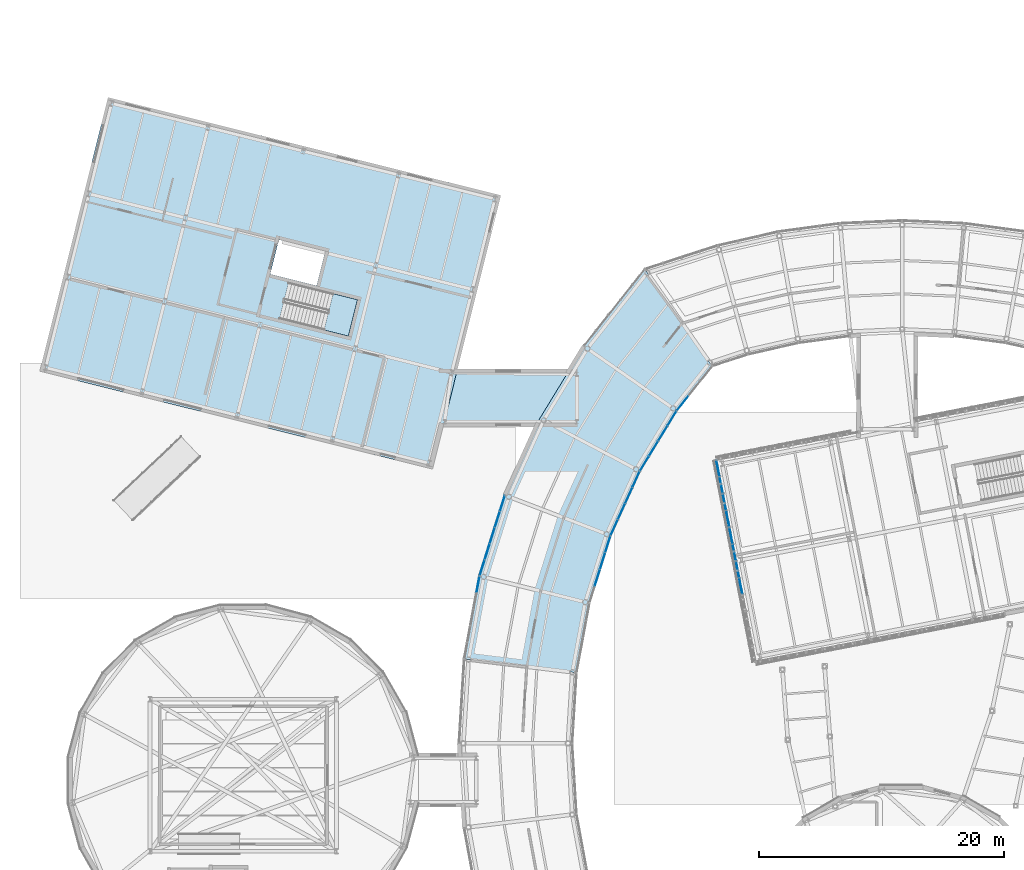
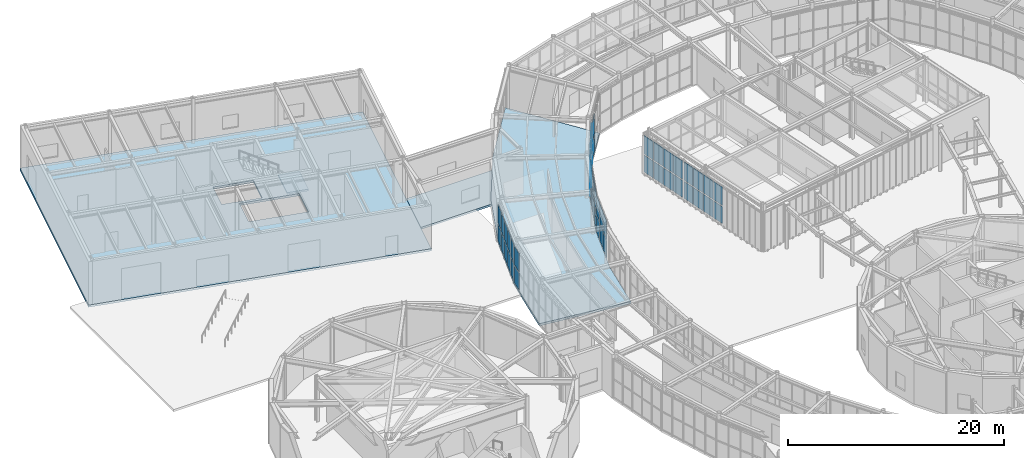
# One storey, part 62 of 97: 52 plates, 4 slabs, 9 elements without a shape of their own.
"""IFC4 building model written with IfcOpenShell, lengths in metres."""

from ifc_helpers import new_model, si_unit, direction, frame, origin, origin_2d, place, context, subcontext, project, spatial, polyline, rectangle, outline, extrude, material, layer, layer_set, type_object, element, aggregate, save


model = new_model("IFC4")

# Units and contexts
model_context = context("Model", 3, precision=1e-05, world=origin(), true_north=direction((0.0, 1.0)))
body_context = subcontext(model_context, "Body", "Model", "MODEL_VIEW")
ifc_project = project(units=[si_unit("LENGTHUNIT", "METRE"), si_unit("AREAUNIT", "SQUARE_METRE"), si_unit("VOLUMEUNIT", "CUBIC_METRE"), si_unit("PLANEANGLEUNIT", "RADIAN"), si_unit("MASSUNIT", "GRAM", prefix="KILO")], contexts=[model_context])

# Site, building, storey
site_placement = place(None, origin())
site = spatial("IfcSite", under=ifc_project, at=site_placement, CompositionType="ELEMENT")
building_placement = place(site_placement, origin())
building = spatial("IfcBuilding", under=site, at=building_placement, Name="Varnklinge Art Gallery", CompositionType="ELEMENT")
storey_placement = place(building_placement, origin())
storey = spatial("IfcBuildingStorey", under=building, at=storey_placement, Name="L00", CompositionType="ELEMENT", Elevation=0.0)

# Curtain wall, plates
ifc_material_1 = material(Name="Anodised Aluminium", Category="aluminium")
curtain_wall_type_1 = type_object("IfcCurtainWallType", Name="CW-R03", PredefinedType="USERDEFINED", material=ifc_material_1)
curtain_wall_1_placement = place(storey_placement, origin())
curtain_wall_1 = element("IfcCurtainWall", 1, at=curtain_wall_1_placement, inside=storey, type_object=curtain_wall_type_1, Name="L00 Curtain Wall CW-V2I-L00-21", ObjectType="UNITISED CURTAIN WALL", PredefinedType="USERDEFINED")
ifc_material_2 = material(Name="Insulated Low-E Triple Glazing", Category="glass")
ifc_layer_1 = layer(ifc_material_2, 0.031982421875)
ifc_layer_set_1 = layer_set([ifc_layer_1], Name="Insulated Low-E Triple Glazing")
plate_type_1 = type_object("IfcPlateType", Name="GLZ-32", PredefinedType="CURTAIN_PANEL", material=ifc_layer_set_1)
plate_1_placement = place(storey_placement, frame((57.614990234375, 82.7236328125, 0.1181640625), z_axis=(0.0, 0.0, 1.0), x_axis=(0.620737354217, 0.784018582101, 0.0)))
plate_1 = element("IfcPlate", 2, at=plate_1_placement, type_object=plate_type_1, Name="CW-V2I-L00-21 Glazing Panel 1.1", PredefinedType="CURTAIN_PANEL", context=body_context, shape_type="SweptSolid", body=[
    extrude(rectangle(XDim=1.4658203125, YDim=0.031982421875, at=origin_2d()), origin(), (0.0, 0.0, 1.0), 1.950439453125),
])
plate_2_placement = place(storey_placement, frame((57.614990234375, 82.7236328125, 2.1845703125), z_axis=(0.0, 0.0, 1.0), x_axis=(0.620737354217, 0.784018582101, 0.0)))
plate_2 = element("IfcPlate", 3, at=plate_2_placement, type_object=plate_type_1, Name="CW-V2I-L00-21 Glazing Panel 1.2", PredefinedType="CURTAIN_PANEL", context=body_context, shape_type="SweptSolid", body=[
    extrude(rectangle(XDim=1.4658203125, YDim=0.031982421875, at=origin_2d()), origin(), (0.0, 0.0, 1.0), 2.127685546875),
])
aggregate(curtain_wall_1, [plate_1, plate_2])

curtain_wall_2_placement = place(storey_placement, origin())
curtain_wall_2 = element("IfcCurtainWall", 4, at=curtain_wall_2_placement, inside=storey, type_object=curtain_wall_type_1, Name="L00 Curtain Wall CW-V2I-L00-22", ObjectType="UNITISED CURTAIN WALL", PredefinedType="USERDEFINED")
plate_3_placement = place(storey_placement, frame((54.503173828125, 77.80908203125, 0.1181640625), z_axis=(0.0, 0.0, 1.0), x_axis=(0.520860651188, 0.85364171761, 0.0)))
plate_3 = element("IfcPlate", 5, at=plate_3_placement, type_object=plate_type_1, Name="CW-V2I-L00-22 Glazing Panel 1.1", PredefinedType="CURTAIN_PANEL", context=body_context, shape_type="SweptSolid", body=[
    extrude(rectangle(XDim=1.355712890625, YDim=0.031982421875, at=origin_2d()), origin(), (0.0, 0.0, 1.0), 1.950439453125),
])
plate_4_placement = place(storey_placement, frame((54.503173828125, 77.80908203125, 2.1845703125), z_axis=(0.0, 0.0, 1.0), x_axis=(0.520860651188, 0.85364171761, 0.0)))
plate_4 = element("IfcPlate", 6, at=plate_4_placement, type_object=plate_type_1, Name="CW-V2I-L00-22 Glazing Panel 1.2", PredefinedType="CURTAIN_PANEL", context=body_context, shape_type="SweptSolid", body=[
    extrude(rectangle(XDim=1.355712890625, YDim=0.031982421875, at=origin_2d()), origin(), (0.0, 0.0, 1.0), 2.127685546875),
])
plate_5_placement = place(storey_placement, frame((55.246337890625, 79.02685546875, 0.1181640625), z_axis=(0.0, 0.0, 1.0), x_axis=(0.520860651188, 0.85364171761, 0.0)))
plate_5 = element("IfcPlate", 7, at=plate_5_placement, type_object=plate_type_1, Name="CW-V2I-L00-22 Glazing Panel 2.1", PredefinedType="CURTAIN_PANEL", context=body_context, shape_type="SweptSolid", body=[
    extrude(rectangle(XDim=1.3857421875, YDim=0.031982421875, at=origin_2d()), origin(), (0.0, 0.0, 1.0), 1.950439453125),
])
plate_6_placement = place(storey_placement, frame((55.246337890625, 79.02685546875, 2.1845703125), z_axis=(0.0, 0.0, 1.0), x_axis=(0.520860651188, 0.85364171761, 0.0)))
plate_6 = element("IfcPlate", 8, at=plate_6_placement, type_object=plate_type_1, Name="CW-V2I-L00-22 Glazing Panel 2.2", PredefinedType="CURTAIN_PANEL", context=body_context, shape_type="SweptSolid", body=[
    extrude(rectangle(XDim=1.3857421875, YDim=0.031982421875, at=origin_2d()), origin(), (0.0, 0.0, 1.0), 2.127685546875),
])
plate_7_placement = place(storey_placement, frame((55.997314453125, 80.257568359375, 0.1181640625), z_axis=(0.0, 0.0, 1.0), x_axis=(0.520860651188, 0.85364171761, 0.0)))
plate_7 = element("IfcPlate", 9, at=plate_7_placement, type_object=plate_type_1, Name="CW-V2I-L00-22 Glazing Panel 3.1", PredefinedType="CURTAIN_PANEL", context=body_context, shape_type="SweptSolid", body=[
    extrude(rectangle(XDim=1.3857421875, YDim=0.031982421875, at=origin_2d()), origin(), (0.0, 0.0, 1.0), 1.950439453125),
])
plate_8_placement = place(storey_placement, frame((55.997314453125, 80.257568359375, 2.1845703125), z_axis=(0.0, 0.0, 1.0), x_axis=(0.520860651188, 0.85364171761, 0.0)))
plate_8 = element("IfcPlate", 10, at=plate_8_placement, type_object=plate_type_1, Name="CW-V2I-L00-22 Glazing Panel 3.2", PredefinedType="CURTAIN_PANEL", context=body_context, shape_type="SweptSolid", body=[
    extrude(rectangle(XDim=1.3857421875, YDim=0.031982421875, at=origin_2d()), origin(), (0.0, 0.0, 1.0), 2.127685546875),
])
plate_9_placement = place(storey_placement, frame((56.740478515625, 81.475341796875, 0.1181640625), z_axis=(0.0, 0.0, 1.0), x_axis=(0.520860651188, 0.85364171761, 0.0)))
plate_9 = element("IfcPlate", 11, at=plate_9_placement, type_object=plate_type_1, Name="CW-V2I-L00-22 Glazing Panel 4.1", PredefinedType="CURTAIN_PANEL", context=body_context, shape_type="SweptSolid", body=[
    extrude(rectangle(XDim=1.355712890625, YDim=0.031982421875, at=origin_2d()), origin(), (0.0, 0.0, 1.0), 1.950439453125),
])
plate_10_placement = place(storey_placement, frame((56.740478515625, 81.475341796875, 2.1845703125), z_axis=(0.0, 0.0, 1.0), x_axis=(0.520860651188, 0.85364171761, 0.0)))
plate_10 = element("IfcPlate", 12, at=plate_10_placement, type_object=plate_type_1, Name="CW-V2I-L00-22 Glazing Panel 4.2", PredefinedType="CURTAIN_PANEL", context=body_context, shape_type="SweptSolid", body=[
    extrude(rectangle(XDim=1.355712890625, YDim=0.031982421875, at=origin_2d()), origin(), (0.0, 0.0, 1.0), 2.127685546875),
])
aggregate(curtain_wall_2, [plate_3, plate_4, plate_5, plate_6, plate_7, plate_8, plate_9, plate_10])

curtain_wall_3_placement = place(storey_placement, origin())
curtain_wall_3 = element("IfcCurtainWall", 13, at=curtain_wall_3_placement, inside=storey, type_object=curtain_wall_type_1, Name="L00 Curtain Wall CW-V2I-L00-23", ObjectType="UNITISED CURTAIN WALL", PredefinedType="USERDEFINED")
plate_11_placement = place(storey_placement, frame((52.039794921875, 72.599609375, 0.1181640625), z_axis=(0.0, 0.0, 1.0), x_axis=(0.413422293217, 0.910539404678, 0.0)))
plate_11 = element("IfcPlate", 14, at=plate_11_placement, type_object=plate_type_1, Name="CW-V2I-L00-23 Glazing Panel 1.1", PredefinedType="CURTAIN_PANEL", context=body_context, shape_type="SweptSolid", body=[
    extrude(rectangle(XDim=1.355712890625, YDim=0.031982421875, at=origin_2d()), origin(), (0.0, 0.0, 1.0), 1.950439453125),
])
plate_12_placement = place(storey_placement, frame((52.039794921875, 72.599609375, 2.1845703125), z_axis=(0.0, 0.0, 1.0), x_axis=(0.413422293217, 0.910539404678, 0.0)))
plate_12 = element("IfcPlate", 15, at=plate_12_placement, type_object=plate_type_1, Name="CW-V2I-L00-23 Glazing Panel 1.2", PredefinedType="CURTAIN_PANEL", context=body_context, shape_type="SweptSolid", body=[
    extrude(rectangle(XDim=1.355712890625, YDim=0.031982421875, at=origin_2d()), origin(), (0.0, 0.0, 1.0), 2.127685546875),
])
plate_13_placement = place(storey_placement, frame((52.629638671875, 73.898681640625, 0.1181640625), z_axis=(0.0, 0.0, 1.0), x_axis=(0.413422293217, 0.910539404678, 0.0)))
plate_13 = element("IfcPlate", 16, at=plate_13_placement, type_object=plate_type_1, Name="CW-V2I-L00-23 Glazing Panel 2.1", PredefinedType="CURTAIN_PANEL", context=body_context, shape_type="SweptSolid", body=[
    extrude(rectangle(XDim=1.3857421875, YDim=0.031982421875, at=origin_2d()), origin(), (0.0, 0.0, 1.0), 1.950439453125),
])
plate_14_placement = place(storey_placement, frame((52.629638671875, 73.898681640625, 2.1845703125), z_axis=(0.0, 0.0, 1.0), x_axis=(0.413422293217, 0.910539404678, 0.0)))
plate_14 = element("IfcPlate", 17, at=plate_14_placement, type_object=plate_type_1, Name="CW-V2I-L00-23 Glazing Panel 2.2", PredefinedType="CURTAIN_PANEL", context=body_context, shape_type="SweptSolid", body=[
    extrude(rectangle(XDim=1.3857421875, YDim=0.031982421875, at=origin_2d()), origin(), (0.0, 0.0, 1.0), 2.127685546875),
])
plate_15_placement = place(storey_placement, frame((53.2255859375, 75.211669921875, 0.1181640625), z_axis=(0.0, 0.0, 1.0), x_axis=(0.413422293217, 0.910539404678, 0.0)))
plate_15 = element("IfcPlate", 18, at=plate_15_placement, type_object=plate_type_1, Name="CW-V2I-L00-23 Glazing Panel 3.1", PredefinedType="CURTAIN_PANEL", context=body_context, shape_type="SweptSolid", body=[
    extrude(rectangle(XDim=1.3857421875, YDim=0.031982421875, at=origin_2d()), origin(), (0.0, 0.0, 1.0), 1.950439453125),
])
plate_16_placement = place(storey_placement, frame((53.2255859375, 75.211669921875, 2.1845703125), z_axis=(0.0, 0.0, 1.0), x_axis=(0.413422293217, 0.910539404678, 0.0)))
plate_16 = element("IfcPlate", 19, at=plate_16_placement, type_object=plate_type_1, Name="CW-V2I-L00-23 Glazing Panel 3.2", PredefinedType="CURTAIN_PANEL", context=body_context, shape_type="SweptSolid", body=[
    extrude(rectangle(XDim=1.3857421875, YDim=0.031982421875, at=origin_2d()), origin(), (0.0, 0.0, 1.0), 2.127685546875),
])
plate_17_placement = place(storey_placement, frame((53.8154296875, 76.5107421875, 0.1181640625), z_axis=(0.0, 0.0, 1.0), x_axis=(0.413422293217, 0.910539404678, 0.0)))
plate_17 = element("IfcPlate", 20, at=plate_17_placement, type_object=plate_type_1, Name="CW-V2I-L00-23 Glazing Panel 4.1", PredefinedType="CURTAIN_PANEL", context=body_context, shape_type="SweptSolid", body=[
    extrude(rectangle(XDim=1.355712890625, YDim=0.031982421875, at=origin_2d()), origin(), (0.0, 0.0, 1.0), 1.950439453125),
])
plate_18_placement = place(storey_placement, frame((53.8154296875, 76.5107421875, 2.1845703125), z_axis=(0.0, 0.0, 1.0), x_axis=(0.413422293217, 0.910539404678, 0.0)))
plate_18 = element("IfcPlate", 21, at=plate_18_placement, type_object=plate_type_1, Name="CW-V2I-L00-23 Glazing Panel 4.2", PredefinedType="CURTAIN_PANEL", context=body_context, shape_type="SweptSolid", body=[
    extrude(rectangle(XDim=1.355712890625, YDim=0.031982421875, at=origin_2d()), origin(), (0.0, 0.0, 1.0), 2.127685546875),
])
aggregate(curtain_wall_3, [plate_11, plate_12, plate_13, plate_14, plate_15, plate_16, plate_17, plate_18])

curtain_wall_4_placement = place(storey_placement, origin())
curtain_wall_4 = element("IfcCurtainWall", 22, at=curtain_wall_4_placement, inside=storey, type_object=curtain_wall_type_1, Name="L00 Curtain Wall CW-V2I-L00-24", ObjectType="UNITISED CURTAIN WALL", PredefinedType="USERDEFINED")
plate_19_placement = place(storey_placement, frame((50.6552734375, 68.49072265625, 0.1181640625), z_axis=(0.0, 0.0, 1.0), x_axis=(0.299706904751, 0.954031326134, 0.0)))
plate_19 = element("IfcPlate", 23, at=plate_19_placement, type_object=plate_type_1, Name="CW-V2I-L00-24 Glazing Panel 2.1", PredefinedType="CURTAIN_PANEL", context=body_context, shape_type="SweptSolid", body=[
    extrude(rectangle(XDim=1.3857421875, YDim=0.031982421875, at=origin_2d()), origin(), (0.0, 0.0, 1.0), 1.950439453125),
])
plate_20_placement = place(storey_placement, frame((50.6552734375, 68.49072265625, 2.1845703125), z_axis=(0.0, 0.0, 1.0), x_axis=(0.299706904751, 0.954031326134, 0.0)))
plate_20 = element("IfcPlate", 24, at=plate_20_placement, type_object=plate_type_1, Name="CW-V2I-L00-24 Glazing Panel 2.2", PredefinedType="CURTAIN_PANEL", context=body_context, shape_type="SweptSolid", body=[
    extrude(rectangle(XDim=1.3857421875, YDim=0.031982421875, at=origin_2d()), origin(), (0.0, 0.0, 1.0), 2.127685546875),
])
plate_21_placement = place(storey_placement, frame((51.08740234375, 69.8662109375, 0.1181640625), z_axis=(0.0, 0.0, 1.0), x_axis=(0.299706904751, 0.954031326134, 0.0)))
plate_21 = element("IfcPlate", 25, at=plate_21_placement, type_object=plate_type_1, Name="CW-V2I-L00-24 Glazing Panel 3.1", PredefinedType="CURTAIN_PANEL", context=body_context, shape_type="SweptSolid", body=[
    extrude(rectangle(XDim=1.3857421875, YDim=0.031982421875, at=origin_2d()), origin(), (0.0, 0.0, 1.0), 1.950439453125),
])
plate_22_placement = place(storey_placement, frame((51.08740234375, 69.8662109375, 2.1845703125), z_axis=(0.0, 0.0, 1.0), x_axis=(0.299706904751, 0.954031326134, 0.0)))
plate_22 = element("IfcPlate", 26, at=plate_22_placement, type_object=plate_type_1, Name="CW-V2I-L00-24 Glazing Panel 3.2", PredefinedType="CURTAIN_PANEL", context=body_context, shape_type="SweptSolid", body=[
    extrude(rectangle(XDim=1.3857421875, YDim=0.031982421875, at=origin_2d()), origin(), (0.0, 0.0, 1.0), 2.127685546875),
])
plate_23_placement = place(storey_placement, frame((51.514892578125, 71.2275390625, 0.1181640625), z_axis=(0.0, 0.0, 1.0), x_axis=(0.299706904751, 0.954031326134, 0.0)))
plate_23 = element("IfcPlate", 27, at=plate_23_placement, type_object=plate_type_1, Name="CW-V2I-L00-24 Glazing Panel 4.1", PredefinedType="CURTAIN_PANEL", context=body_context, shape_type="SweptSolid", body=[
    extrude(rectangle(XDim=1.355712890625, YDim=0.031982421875, at=origin_2d()), origin(), (0.0, 0.0, 1.0), 1.950439453125),
])
plate_24_placement = place(storey_placement, frame((51.514892578125, 71.2275390625, 2.1845703125), z_axis=(0.0, 0.0, 1.0), x_axis=(0.299706904751, 0.954031326134, 0.0)))
plate_24 = element("IfcPlate", 28, at=plate_24_placement, type_object=plate_type_1, Name="CW-V2I-L00-24 Glazing Panel 4.2", PredefinedType="CURTAIN_PANEL", context=body_context, shape_type="SweptSolid", body=[
    extrude(rectangle(XDim=1.355712890625, YDim=0.031982421875, at=origin_2d()), origin(), (0.0, 0.0, 1.0), 2.127685546875),
])
aggregate(curtain_wall_4, [plate_19, plate_20, plate_21, plate_22, plate_23, plate_24])

ifc_material_3 = material(Name="Anodised Aluminium", Category="aluminium")
curtain_wall_type_2 = type_object("IfcCurtainWallType", Name="CW-R01", PredefinedType="USERDEFINED", material=ifc_material_3)
curtain_wall_5_placement = place(storey_placement, origin())
curtain_wall_5 = element("IfcCurtainWall", 29, at=curtain_wall_5_placement, inside=storey, type_object=curtain_wall_type_2, Name="L00 Curtain Wall CW-V2O-L00-24", ObjectType="UNITISED CURTAIN WALL", PredefinedType="USERDEFINED")
ifc_material_4 = material(Name="Insulated Low-E Triple Glazing", Category="glass")
ifc_layer_2 = layer(ifc_material_4, 0.0380859375)
ifc_layer_set_2 = layer_set([ifc_layer_2], Name="Insulated Low-E Triple Glazing")
plate_type_2 = type_object("IfcPlateType", Name="GLZ-38", PredefinedType="CURTAIN_PANEL", material=ifc_layer_set_2)
plate_25_placement = place(storey_placement, frame((42.915283203125, 74.549560546875, 0.14794921875), z_axis=(0.0, 0.0, 1.0), x_axis=(-0.299706904751, -0.954031326134, 0.0)))
plate_25 = element("IfcPlate", 30, at=plate_25_placement, type_object=plate_type_2, Name="CW-V2O-L00-24 Glazing Panel 1.1", PredefinedType="CURTAIN_PANEL", context=body_context, shape_type="SweptSolid", body=[
    extrude(rectangle(XDim=1.2841796875, YDim=0.0380859375, at=origin_2d()), origin(), (0.0, 0.0, 1.0), 1.905517578125),
])
plate_26_placement = place(storey_placement, frame((42.915283203125, 74.549560546875, 2.199462890625), z_axis=(0.0, 0.0, 1.0), x_axis=(-0.299706904751, -0.954031326134, 0.0)))
plate_26 = element("IfcPlate", 31, at=plate_26_placement, type_object=plate_type_2, Name="CW-V2O-L00-24 Glazing Panel 1.2", PredefinedType="CURTAIN_PANEL", context=body_context, shape_type="SweptSolid", body=[
    extrude(rectangle(XDim=1.2841796875, YDim=0.0380859375, at=origin_2d()), origin(), (0.0, 0.0, 1.0), 2.08251953125),
])
plate_27_placement = place(storey_placement, frame((42.507080078125, 73.25048828125, 0.14794921875), z_axis=(0.0, 0.0, 1.0), x_axis=(-0.299706904751, -0.954031326134, 0.0)))
plate_27 = element("IfcPlate", 32, at=plate_27_placement, type_object=plate_type_2, Name="CW-V2O-L00-24 Glazing Panel 2.1", PredefinedType="CURTAIN_PANEL", context=body_context, shape_type="SweptSolid", body=[
    extrude(rectangle(XDim=1.316650390625, YDim=0.0380859375, at=origin_2d()), origin(), (0.0, 0.0, 1.0), 1.905517578125),
])
plate_28_placement = place(storey_placement, frame((42.507080078125, 73.25048828125, 2.199462890625), z_axis=(0.0, 0.0, 1.0), x_axis=(-0.299706904751, -0.954031326134, 0.0)))
plate_28 = element("IfcPlate", 33, at=plate_28_placement, type_object=plate_type_2, Name="CW-V2O-L00-24 Glazing Panel 2.2", PredefinedType="CURTAIN_PANEL", context=body_context, shape_type="SweptSolid", body=[
    extrude(rectangle(XDim=1.316650390625, YDim=0.0380859375, at=origin_2d()), origin(), (0.0, 0.0, 1.0), 2.08251953125),
])
plate_29_placement = place(storey_placement, frame((42.09423828125, 71.936279296875, 0.14794921875), z_axis=(0.0, 0.0, 1.0), x_axis=(-0.299706904751, -0.954031326134, 0.0)))
plate_29 = element("IfcPlate", 34, at=plate_29_placement, type_object=plate_type_2, Name="CW-V2O-L00-24 Glazing Panel 3.1", PredefinedType="CURTAIN_PANEL", context=body_context, shape_type="SweptSolid", body=[
    extrude(rectangle(XDim=1.316650390625, YDim=0.0380859375, at=origin_2d()), origin(), (0.0, 0.0, 1.0), 1.905517578125),
])
plate_30_placement = place(storey_placement, frame((42.09423828125, 71.936279296875, 2.199462890625), z_axis=(0.0, 0.0, 1.0), x_axis=(-0.299706904751, -0.954031326134, 0.0)))
plate_30 = element("IfcPlate", 35, at=plate_30_placement, type_object=plate_type_2, Name="CW-V2O-L00-24 Glazing Panel 3.2", PredefinedType="CURTAIN_PANEL", context=body_context, shape_type="SweptSolid", body=[
    extrude(rectangle(XDim=1.316650390625, YDim=0.0380859375, at=origin_2d()), origin(), (0.0, 0.0, 1.0), 2.08251953125),
])
plate_31_placement = place(storey_placement, frame((41.681396484375, 70.621826171875, 0.14794921875), z_axis=(0.0, 0.0, 1.0), x_axis=(-0.299706904751, -0.954031326134, 0.0)))
plate_31 = element("IfcPlate", 36, at=plate_31_placement, type_object=plate_type_2, Name="CW-V2O-L00-24 Glazing Panel 4.1", PredefinedType="CURTAIN_PANEL", context=body_context, shape_type="SweptSolid", body=[
    extrude(rectangle(XDim=1.316650390625, YDim=0.0380859375, at=origin_2d()), origin(), (0.0, 0.0, 1.0), 1.905517578125),
])
plate_32_placement = place(storey_placement, frame((41.681396484375, 70.621826171875, 2.199462890625), z_axis=(0.0, 0.0, 1.0), x_axis=(-0.299706904751, -0.954031326134, 0.0)))
plate_32 = element("IfcPlate", 37, at=plate_32_placement, type_object=plate_type_2, Name="CW-V2O-L00-24 Glazing Panel 4.2", PredefinedType="CURTAIN_PANEL", context=body_context, shape_type="SweptSolid", body=[
    extrude(rectangle(XDim=1.316650390625, YDim=0.0380859375, at=origin_2d()), origin(), (0.0, 0.0, 1.0), 2.08251953125),
])
plate_33_placement = place(storey_placement, frame((41.273193359375, 69.322998046875, 0.14794921875), z_axis=(0.0, 0.0, 1.0), x_axis=(-0.299706904751, -0.954031326134, 0.0)))
plate_33 = element("IfcPlate", 38, at=plate_33_placement, type_object=plate_type_2, Name="CW-V2O-L00-24 Glazing Panel 5.1", PredefinedType="CURTAIN_PANEL", context=body_context, shape_type="SweptSolid", body=[
    extrude(rectangle(XDim=1.2841796875, YDim=0.0380859375, at=origin_2d()), origin(), (0.0, 0.0, 1.0), 1.905517578125),
])
plate_34_placement = place(storey_placement, frame((41.273193359375, 69.322998046875, 2.199462890625), z_axis=(0.0, 0.0, 1.0), x_axis=(-0.299706904751, -0.954031326134, 0.0)))
plate_34 = element("IfcPlate", 39, at=plate_34_placement, type_object=plate_type_2, Name="CW-V2O-L00-24 Glazing Panel 5.2", PredefinedType="CURTAIN_PANEL", context=body_context, shape_type="SweptSolid", body=[
    extrude(rectangle(XDim=1.2841796875, YDim=0.0380859375, at=origin_2d()), origin(), (0.0, 0.0, 1.0), 2.08251953125),
])
aggregate(curtain_wall_5, [plate_25, plate_26, plate_27, plate_28, plate_29, plate_30, plate_31, plate_32, plate_33, plate_34])

curtain_wall_6_placement = place(storey_placement, origin())
curtain_wall_6 = element("IfcCurtainWall", 40, at=curtain_wall_6_placement, inside=storey, type_object=curtain_wall_type_2, Name="L00 Curtain Wall CW-V2O-L00-25", ObjectType="UNITISED CURTAIN WALL", PredefinedType="USERDEFINED")
plate_35_placement = place(storey_placement, frame((40.933837890625, 67.956787109375, 0.14794921875), z_axis=(0.0, 0.0, 1.0), x_axis=(-0.18172066947, -0.983350191075, 0.0)))
plate_35 = element("IfcPlate", 41, at=plate_35_placement, type_object=plate_type_2, Name="CW-V2O-L00-25 Glazing Panel 1.1", PredefinedType="CURTAIN_PANEL", context=body_context, shape_type="SweptSolid", body=[
    extrude(rectangle(XDim=1.2841796875, YDim=0.0380859375, at=origin_2d()), origin(), (0.0, 0.0, 1.0), 1.905517578125),
])
plate_36_placement = place(storey_placement, frame((40.933837890625, 67.956787109375, 2.199462890625), z_axis=(0.0, 0.0, 1.0), x_axis=(-0.18172066947, -0.983350191075, 0.0)))
plate_36 = element("IfcPlate", 42, at=plate_36_placement, type_object=plate_type_2, Name="CW-V2O-L00-25 Glazing Panel 1.2", PredefinedType="CURTAIN_PANEL", context=body_context, shape_type="SweptSolid", body=[
    extrude(rectangle(XDim=1.2841796875, YDim=0.0380859375, at=origin_2d()), origin(), (0.0, 0.0, 1.0), 2.08251953125),
])
aggregate(curtain_wall_6, [plate_35, plate_36])

ifc_material_5 = material(Name="Anodised Aluminium", Category="aluminium")
curtain_wall_type_3 = type_object("IfcCurtainWallType", Name="CW-L05", PredefinedType="USERDEFINED", material=ifc_material_5)
curtain_wall_7_placement = place(storey_placement, origin())
curtain_wall_7 = element("IfcCurtainWall", 43, at=curtain_wall_7_placement, inside=storey, type_object=curtain_wall_type_3, Name="L00 Curtain Wall CW-V4B-L00-4-1-1", ObjectType="UNITISED CURTAIN WALL", PredefinedType="USERDEFINED")
ifc_material_6 = material(Name="Insulated Low-E Triple Glazing", Category="glass")
ifc_layer_3 = layer(ifc_material_6, 0.0439453125)
ifc_layer_set_3 = layer_set([ifc_layer_3], Name="Insulated Low-E Triple Glazing")
plate_type_3 = type_object("IfcPlateType", Name="GLZ-44", PredefinedType="CURTAIN_PANEL", material=ifc_layer_set_3)
plate_37_placement = place(storey_placement, frame((60.48779296875, 77.406982421875, 0.14794921875), z_axis=(0.0, 0.0, 1.0), x_axis=(0.190808995377, -0.981627183448, 0.0)))
plate_37 = element("IfcPlate", 44, at=plate_37_placement, type_object=plate_type_3, Name="CW-V4B-L00-4-1-1 Glazing Panel 1.1", PredefinedType="CURTAIN_PANEL", context=body_context, shape_type="SweptSolid", body=[
    extrude(rectangle(XDim=1.29150390625, YDim=0.0439453125, at=origin_2d()), origin(), (0.0, 0.0, 1.0), 1.905517578125),
])
plate_38_placement = place(storey_placement, frame((60.48779296875, 77.406982421875, 2.199462890625), z_axis=(0.0, 0.0, 1.0), x_axis=(0.190808995377, -0.981627183448, 0.0)))
plate_38 = element("IfcPlate", 45, at=plate_38_placement, type_object=plate_type_3, Name="CW-V4B-L00-4-1-1 Glazing Panel 1.2", PredefinedType="CURTAIN_PANEL", context=body_context, shape_type="SweptSolid", body=[
    extrude(rectangle(XDim=1.29150390625, YDim=0.0439453125, at=origin_2d()), origin(), (0.0, 0.0, 1.0), 2.08251953125),
])
plate_39_placement = place(storey_placement, frame((60.75146484375, 76.051025390625, 0.14794921875), z_axis=(0.0, 0.0, 1.0), x_axis=(0.190808995377, -0.981627183448, 0.0)))
plate_39 = element("IfcPlate", 46, at=plate_39_placement, type_object=plate_type_3, Name="CW-V4B-L00-4-1-1 Glazing Panel 2.1", PredefinedType="CURTAIN_PANEL", context=body_context, shape_type="SweptSolid", body=[
    extrude(rectangle(XDim=1.3291015625, YDim=0.0439453125, at=origin_2d()), origin(), (0.0, 0.0, 1.0), 1.905517578125),
])
plate_40_placement = place(storey_placement, frame((60.75146484375, 76.051025390625, 2.199462890625), z_axis=(0.0, 0.0, 1.0), x_axis=(0.190808995377, -0.981627183448, 0.0)))
plate_40 = element("IfcPlate", 47, at=plate_40_placement, type_object=plate_type_3, Name="CW-V4B-L00-4-1-1 Glazing Panel 2.2", PredefinedType="CURTAIN_PANEL", context=body_context, shape_type="SweptSolid", body=[
    extrude(rectangle(XDim=1.3291015625, YDim=0.0439453125, at=origin_2d()), origin(), (0.0, 0.0, 1.0), 2.08251953125),
])
plate_41_placement = place(storey_placement, frame((61.0185546875, 74.6767578125, 0.14794921875), z_axis=(0.0, 0.0, 1.0), x_axis=(0.190808995377, -0.981627183448, 0.0)))
plate_41 = element("IfcPlate", 48, at=plate_41_placement, type_object=plate_type_3, Name="CW-V4B-L00-4-1-1 Glazing Panel 3.1", PredefinedType="CURTAIN_PANEL", context=body_context, shape_type="SweptSolid", body=[
    extrude(rectangle(XDim=1.3291015625, YDim=0.0439453125, at=origin_2d()), origin(), (0.0, 0.0, 1.0), 1.905517578125),
])
plate_42_placement = place(storey_placement, frame((61.0185546875, 74.6767578125, 2.199462890625), z_axis=(0.0, 0.0, 1.0), x_axis=(0.190808995377, -0.981627183448, 0.0)))
plate_42 = element("IfcPlate", 49, at=plate_42_placement, type_object=plate_type_3, Name="CW-V4B-L00-4-1-1 Glazing Panel 3.2", PredefinedType="CURTAIN_PANEL", context=body_context, shape_type="SweptSolid", body=[
    extrude(rectangle(XDim=1.3291015625, YDim=0.0439453125, at=origin_2d()), origin(), (0.0, 0.0, 1.0), 2.08251953125),
])
plate_43_placement = place(storey_placement, frame((61.281982421875, 73.32080078125, 0.14794921875), z_axis=(0.0, 0.0, 1.0), x_axis=(0.190808995377, -0.981627183448, 0.0)))
plate_43 = element("IfcPlate", 50, at=plate_43_placement, type_object=plate_type_3, Name="CW-V4B-L00-4-1-1 Glazing Panel 4.1", PredefinedType="CURTAIN_PANEL", context=body_context, shape_type="SweptSolid", body=[
    extrude(rectangle(XDim=1.29150390625, YDim=0.0439453125, at=origin_2d()), origin(), (0.0, 0.0, 1.0), 1.905517578125),
])
plate_44_placement = place(storey_placement, frame((61.281982421875, 73.32080078125, 2.199462890625), z_axis=(0.0, 0.0, 1.0), x_axis=(0.190808995377, -0.981627183448, 0.0)))
plate_44 = element("IfcPlate", 51, at=plate_44_placement, type_object=plate_type_3, Name="CW-V4B-L00-4-1-1 Glazing Panel 4.2", PredefinedType="CURTAIN_PANEL", context=body_context, shape_type="SweptSolid", body=[
    extrude(rectangle(XDim=1.29150390625, YDim=0.0439453125, at=origin_2d()), origin(), (0.0, 0.0, 1.0), 2.08251953125),
])
aggregate(curtain_wall_7, [plate_37, plate_38, plate_39, plate_40, plate_41, plate_42, plate_43, plate_44])

curtain_wall_8_placement = place(storey_placement, origin())
curtain_wall_8 = element("IfcCurtainWall", 52, at=curtain_wall_8_placement, inside=storey, type_object=curtain_wall_type_3, Name="L00 Curtain Wall CW-V4B-L00-4-1-2", ObjectType="UNITISED CURTAIN WALL", PredefinedType="USERDEFINED")
plate_45_placement = place(storey_placement, frame((61.556396484375, 71.909912109375, 0.14794921875), z_axis=(0.0, 0.0, 1.0), x_axis=(0.190808995377, -0.981627183448, 0.0)))
plate_45 = element("IfcPlate", 53, at=plate_45_placement, type_object=plate_type_3, Name="CW-V4B-L00-4-1-2 Glazing Panel 1.1", PredefinedType="CURTAIN_PANEL", context=body_context, shape_type="SweptSolid", body=[
    extrude(rectangle(XDim=1.29150390625, YDim=0.0439453125, at=origin_2d()), origin(), (0.0, 0.0, 1.0), 1.905517578125),
])
plate_46_placement = place(storey_placement, frame((61.556396484375, 71.909912109375, 2.199462890625), z_axis=(0.0, 0.0, 1.0), x_axis=(0.190808995377, -0.981627183448, 0.0)))
plate_46 = element("IfcPlate", 54, at=plate_46_placement, type_object=plate_type_3, Name="CW-V4B-L00-4-1-2 Glazing Panel 1.2", PredefinedType="CURTAIN_PANEL", context=body_context, shape_type="SweptSolid", body=[
    extrude(rectangle(XDim=1.29150390625, YDim=0.0439453125, at=origin_2d()), origin(), (0.0, 0.0, 1.0), 2.08251953125),
])
plate_47_placement = place(storey_placement, frame((61.81982421875, 70.553955078125, 0.14794921875), z_axis=(0.0, 0.0, 1.0), x_axis=(0.190808995377, -0.981627183448, 0.0)))
plate_47 = element("IfcPlate", 55, at=plate_47_placement, type_object=plate_type_3, Name="CW-V4B-L00-4-1-2 Glazing Panel 2.1", PredefinedType="CURTAIN_PANEL", context=body_context, shape_type="SweptSolid", body=[
    extrude(rectangle(XDim=1.3291015625, YDim=0.0439453125, at=origin_2d()), origin(), (0.0, 0.0, 1.0), 1.905517578125),
])
plate_48_placement = place(storey_placement, frame((61.81982421875, 70.553955078125, 2.199462890625), z_axis=(0.0, 0.0, 1.0), x_axis=(0.190808995377, -0.981627183448, 0.0)))
plate_48 = element("IfcPlate", 56, at=plate_48_placement, type_object=plate_type_3, Name="CW-V4B-L00-4-1-2 Glazing Panel 2.2", PredefinedType="CURTAIN_PANEL", context=body_context, shape_type="SweptSolid", body=[
    extrude(rectangle(XDim=1.3291015625, YDim=0.0439453125, at=origin_2d()), origin(), (0.0, 0.0, 1.0), 2.08251953125),
])
plate_49_placement = place(storey_placement, frame((62.087158203125, 69.1796875, 0.14794921875), z_axis=(0.0, 0.0, 1.0), x_axis=(0.190808995377, -0.981627183448, 0.0)))
plate_49 = element("IfcPlate", 57, at=plate_49_placement, type_object=plate_type_3, Name="CW-V4B-L00-4-1-2 Glazing Panel 3.1", PredefinedType="CURTAIN_PANEL", context=body_context, shape_type="SweptSolid", body=[
    extrude(rectangle(XDim=1.3291015625, YDim=0.0439453125, at=origin_2d()), origin(), (0.0, 0.0, 1.0), 1.905517578125),
])
plate_50_placement = place(storey_placement, frame((62.087158203125, 69.1796875, 2.199462890625), z_axis=(0.0, 0.0, 1.0), x_axis=(0.190808995377, -0.981627183448, 0.0)))
plate_50 = element("IfcPlate", 58, at=plate_50_placement, type_object=plate_type_3, Name="CW-V4B-L00-4-1-2 Glazing Panel 3.2", PredefinedType="CURTAIN_PANEL", context=body_context, shape_type="SweptSolid", body=[
    extrude(rectangle(XDim=1.3291015625, YDim=0.0439453125, at=origin_2d()), origin(), (0.0, 0.0, 1.0), 2.08251953125),
])
plate_51_placement = place(storey_placement, frame((62.3505859375, 67.82373046875, 0.14794921875), z_axis=(0.0, 0.0, 1.0), x_axis=(0.190808995377, -0.981627183448, 0.0)))
plate_51 = element("IfcPlate", 59, at=plate_51_placement, type_object=plate_type_3, Name="CW-V4B-L00-4-1-2 Glazing Panel 4.1", PredefinedType="CURTAIN_PANEL", context=body_context, shape_type="SweptSolid", body=[
    extrude(rectangle(XDim=1.29150390625, YDim=0.0439453125, at=origin_2d()), origin(), (0.0, 0.0, 1.0), 1.905517578125),
])
plate_52_placement = place(storey_placement, frame((62.3505859375, 67.82373046875, 2.199462890625), z_axis=(0.0, 0.0, 1.0), x_axis=(0.190808995377, -0.981627183448, 0.0)))
plate_52 = element("IfcPlate", 60, at=plate_52_placement, type_object=plate_type_3, Name="CW-V4B-L00-4-1-2 Glazing Panel 4.2", PredefinedType="CURTAIN_PANEL", context=body_context, shape_type="SweptSolid", body=[
    extrude(rectangle(XDim=1.29150390625, YDim=0.0439453125, at=origin_2d()), origin(), (0.0, 0.0, 1.0), 2.08251953125),
])
aggregate(curtain_wall_8, [plate_45, plate_46, plate_47, plate_48, plate_49, plate_50, plate_51, plate_52])

# Slabs
ifc_material_7 = material(Name="Concrete C35/45", Category="concrete")
ifc_layer_4 = layer(ifc_material_7, 0.219970703125)
ifc_layer_set_4 = layer_set([ifc_layer_4], Name="Concrete C35/45")
slab_type_1 = type_object("IfcSlabType", Name="SLB-F22", PredefinedType="FLOOR", material=ifc_layer_set_4)
slab_1_placement = place(storey_placement, frame((0.0, 0.0, -0.219970703125)))
element("IfcSlab", 61, at=slab_1_placement, inside=storey, type_object=slab_type_1, Name="L00 LNK-V5 Gallery Link Slab", PredefinedType="FLOOR", context=body_context, shape_type="SweptSolid", body=[
    extrude(outline(polyline([(48.418701171875, 85.5), (39.259765625, 85.5), (38.087890625, 80.800048828125), (45.658935546875, 80.800048828125), (45.974609375, 81.494873046875), (48.418701171875, 85.5)])), origin(), (0.0, 0.0, 1.0), 0.219970703125),
])
ifc_material_8 = material(Name="Concrete C35/45", Category="concrete")
ifc_layer_5 = layer(ifc_material_8, 0.25)
ifc_layer_set_5 = layer_set([ifc_layer_5], Name="Concrete C35/45")
slab_type_2 = type_object("IfcSlabType", Name="SLB-F25", PredefinedType="FLOOR", material=ifc_layer_set_5)
slab_2_placement = place(storey_placement, frame((0.0, 0.0, -0.25)))
element("IfcSlab", 62, at=slab_2_placement, inside=storey, type_object=slab_type_2, Name="L00 Curved Gallery Ring Sector 5", PredefinedType="FLOOR", context=body_context, shape_type="SweptSolid", body=[
    extrude(outline(polyline([(49.56298828125, 87.375), (45.974609375, 81.494873046875), (43.126708984375, 75.22216796875), (41.06201171875, 68.650146484375), (39.810546875, 61.8759765625), (48.95947265625, 60.75634765625), (50.0068359375, 66.427490234375), (51.735595703125, 71.9296875), (54.11962890625, 77.180908203125), (57.1240234375, 82.103515625), (60.013916015625, 85.753662109375), (54.529296875, 93.647216796875), (49.56298828125, 87.375)])), origin(), (0.0, 0.0, 1.0), 0.25),
])
slab_3_placement = place(storey_placement, frame((0.0, 0.0, -0.25)))
element("IfcSlab", 63, at=slab_3_placement, inside=storey, type_object=slab_type_2, Name="L00 Conservation Wing Slab", PredefinedType="FLOOR", context=body_context, shape_type="SweptSolid", body=[
    extrude(outline(polyline([(10.772216796875, 107.650146484375), (5.2080078125, 85.333251953125), (37.227783203125, 77.349853515625), (42.7919921875, 99.666748046875), (10.772216796875, 107.650146484375)]), holes=[polyline([(25.501220703125, 92.560302734375), (31.1044921875, 91.1630859375), (30.3642578125, 88.194091796875), (24.7607421875, 89.591064453125), (25.501220703125, 92.560302734375)]), polyline([(28.482666015625, 95.11474609375), (27.78125, 92.30078125), (23.9970703125, 93.244384765625), (24.698486328125, 96.058349609375), (28.482666015625, 95.11474609375)])]), origin(), (0.0, 0.0, 1.0), 0.25),
])

# Stair, slab
ifc_material_9 = material(Name="Concrete C40/50", Category="concrete")
stair_type = type_object("IfcStairType", Name="STR-C5100", PredefinedType="HALF_TURN_STAIR", material=ifc_material_9)
stair_placement = place(storey_placement, origin())
stair = element("IfcStair", 64, at=stair_placement, inside=storey, type_object=stair_type, Name="L00 Core C4 Stair ST-04", PredefinedType="HALF_TURN_STAIR")
ifc_material_10 = material(Name="Concrete C40/50", Category="concrete")
ifc_layer_6 = layer(ifc_material_10, 0.199951171875)
ifc_layer_set_6 = layer_set([ifc_layer_6], Name="Concrete C40/50")
slab_type_3 = type_object("IfcSlabType", Name="SLB-LND20", PredefinedType="LANDING", material=ifc_layer_set_6)
slab_4_placement = place(storey_placement, frame((0.0, 0.0, 2.35009765625)))
slab_4 = element("IfcSlab", 65, at=slab_4_placement, type_object=slab_type_3, Name="ST-04 landing 1", PredefinedType="LANDING", context=body_context, shape_type="SweptSolid", body=[
    extrude(outline(polyline([(28.365478515625, 88.6923828125), (30.3642578125, 88.194091796875), (31.1044921875, 91.1630859375), (29.105712890625, 91.661376953125), (28.365478515625, 88.6923828125)])), origin(), (0.0, 0.0, 1.0), 0.199951171875),
])
aggregate(stair, [slab_4])

save(model, "model.ifc")
